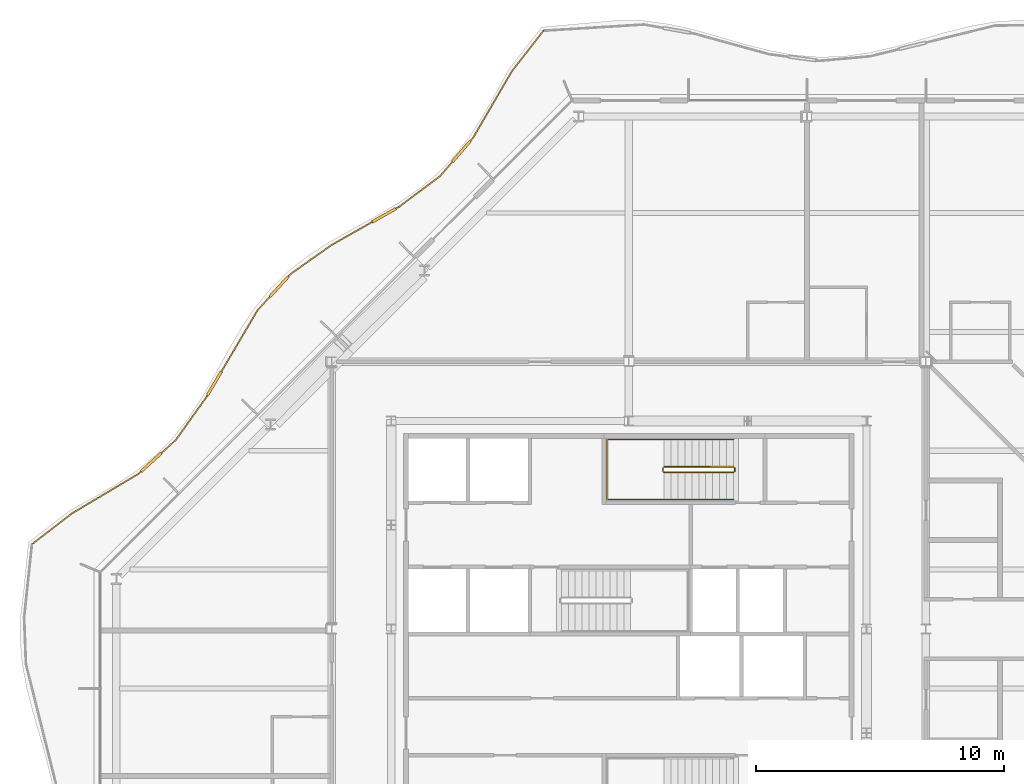
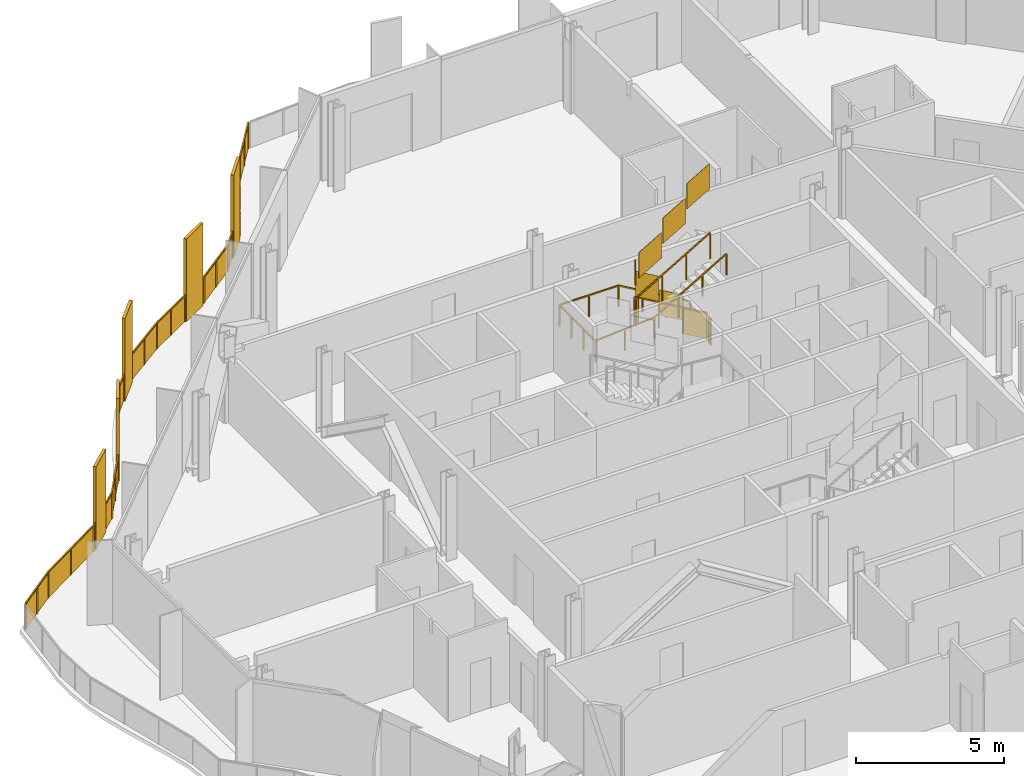
# One storey, part 16 of 17: 4 railings.
"""IFC4 building model written with IfcOpenShell, lengths in metres."""

from ifc_helpers import new_model, si_unit, direction, frame, origin, origin_2d, place, context, subcontext, project, spatial, polyline, rectangle, outline, extrude, material, type_object, element, save


model = new_model("IFC4")

# Units and contexts
model_context = context("Model", 3, precision=1e-05, world=origin(), true_north=direction((0.0, 1.0)))
body_context = subcontext(model_context, "Body", "Model", "MODEL_VIEW")
ifc_project = project(units=[si_unit("LENGTHUNIT", "METRE"), si_unit("AREAUNIT", "SQUARE_METRE"), si_unit("VOLUMEUNIT", "CUBIC_METRE"), si_unit("PLANEANGLEUNIT", "RADIAN"), si_unit("MASSUNIT", "GRAM", prefix="KILO")], contexts=[model_context])

# Site, building, storey
site_placement = place(None, origin())
site = spatial("IfcSite", under=ifc_project, at=site_placement, CompositionType="ELEMENT")
building_placement = place(site_placement, origin())
building = spatial("IfcBuilding", under=site, at=building_placement, Name="Cairn Pilgrim Tower", CompositionType="ELEMENT")
storey_placement = place(building_placement, frame((0.0, 0.0, 221.39990234375)))
storey = spatial("IfcBuildingStorey", under=building, at=storey_placement, Name="L56", CompositionType="ELEMENT", Elevation=221.39990234375)

# Railings
ifc_material_1 = material(Name="Bronze anodised aluminium rail, posts and fin screens with laminated glass infill", Category="aluminium")
railing_type_1 = type_object("IfcRailingType", Name="BALCONY GUARD WITH FIN SCREENS", PredefinedType="GUARDRAIL", material=ifc_material_1)
railing_1_placement = place(storey_placement, frame((3.7529296875, 26.5673828125, 0.0)))
element("IfcRailing", 1, at=railing_1_placement, inside=storey, type_object=railing_type_1, Name="Balcony guard BGF-5 with fin screens", PredefinedType="GUARDRAIL", context=body_context, shape_type="SweptSolid", body=[
    extrude(rectangle(XDim=0.050048828125, YDim=0.050048828125, at=origin_2d()), frame((0.0, 0.0, 1.0751953125), z_axis=(-0.615247590899, -0.788333940594, 0.0), x_axis=(0.788333940594, -0.615247590899, 0.0)), (0.0, 0.0, 1.0), 2.06787109375),
    extrude(rectangle(XDim=0.050048828125, YDim=0.050048828125, at=origin_2d()), frame((-1.272216796875, -1.630126953125, 1.0751953125), z_axis=(-0.503754385339, -0.863846930452, 0.0), x_axis=(0.863846930452, -0.503754385339, 0.0)), (0.0, 0.0, 1.0), 3.12353515625),
    extrude(rectangle(XDim=1.10009765625, YDim=0.110107421875, at=origin_2d()), frame((-3.319091796875, -4.877685546875, 0.0), z_axis=(0.0, 0.0, 1.0), x_axis=(-0.652871199142, -0.757468941496, 0.0)), (0.0, 0.0, 1.0), 3.39990234375),
    extrude(rectangle(XDim=0.050048828125, YDim=0.050048828125, at=origin_2d()), frame((-2.845703125, -4.328369140625, 1.0751953125), z_axis=(-0.652871199142, -0.757468941496, 0.0), x_axis=(0.757468941496, -0.652871199142, 0.0)), (0.0, 0.0, 1.0), 0.175048828125),
    extrude(rectangle(XDim=0.050048828125, YDim=0.050048828125, at=origin_2d()), frame((-3.67822265625, -5.294189453125, 1.0751953125), z_axis=(-0.652871199142, -0.757468941496, 0.0), x_axis=(0.757468941496, -0.652871199142, 0.0)), (0.0, 0.0, 1.0), 0.771728515625),
    extrude(rectangle(XDim=0.050048828125, YDim=0.050048828125, at=origin_2d()), frame((-4.18212890625, -5.87890625, 1.0751953125), z_axis=(-0.801009467995, -0.598651678509, 0.0), x_axis=(0.598651678509, -0.801009467995, 0.0)), (0.0, 0.0, 1.0), 2.058349609375),
    extrude(rectangle(XDim=1.10009765625, YDim=0.110107421875, at=origin_2d()), frame((-6.43994140625, -7.455810546875, 0.0), z_axis=(0.0, 0.0, 1.0), x_axis=(-0.870288371467, -0.492542536731, 0.0)), (0.0, 0.0, 1.0), 3.39990234375),
    extrude(rectangle(XDim=0.050048828125, YDim=0.050048828125, at=origin_2d()), frame((-5.830810546875, -7.111083984375, 1.0751953125), z_axis=(-0.870288371467, -0.492542536731, 0.0), x_axis=(0.492542536731, -0.870288371467, 0.0)), (0.0, 0.0, 1.0), 0.14990234375),
    extrude(rectangle(XDim=0.050048828125, YDim=0.050048828125, at=origin_2d()), frame((-6.918701171875, -7.726806640625, 1.0751953125), z_axis=(-0.870288371467, -0.492542536731, 0.0), x_axis=(0.492542536731, -0.870288371467, 0.0)), (0.0, 0.0, 1.0), 1.882568359375),
    extrude(rectangle(XDim=0.050048828125, YDim=0.050048828125, at=origin_2d()), frame((-8.55712890625, -8.654052734375, 1.0751953125), z_axis=(-0.816212373943, -0.577751988852, 0.0), x_axis=(0.577751988852, -0.816212373943, 0.0)), (0.0, 0.0, 1.0), 2.016845703125),
    extrude(rectangle(XDim=1.10009765625, YDim=0.110107421875, at=origin_2d()), frame((-10.676513671875, -10.335205078125, 0.0), z_axis=(0.0, 0.0, 1.0), x_axis=(-0.675825052725, -0.737062072087, 0.0)), (0.0, 0.0, 1.0), 3.39990234375),
    extrude(rectangle(XDim=0.050048828125, YDim=0.050048828125, at=origin_2d()), frame((-10.203369140625, -9.8193359375, 1.0751953125), z_axis=(-0.675825052725, -0.737062072087, 0.0), x_axis=(0.737062072087, -0.675825052725, 0.0)), (0.0, 0.0, 1.0), 0.150146484375),
    extrude(rectangle(XDim=0.050048828125, YDim=0.050048828125, at=origin_2d()), frame((-11.048095703125, -10.74072265625, 1.0751953125), z_axis=(-0.675825052725, -0.737062072087, 0.0), x_axis=(0.737062072087, -0.675825052725, 0.0)), (0.0, 0.0, 1.0), 0.7314453125),
    extrude(rectangle(XDim=1.10009765625, YDim=0.110107421875, at=origin_2d()), frame((-13.293701171875, -14.24609375, 0.0), z_axis=(0.0, 0.0, 1.0), x_axis=(-0.508401829525, -0.861119956647, 0.0)), (0.0, 0.0, 1.0), 3.39990234375),
    extrude(rectangle(XDim=0.050048828125, YDim=0.050048828125, at=origin_2d()), frame((-11.54248046875, -11.27978515625, 1.0751953125), z_axis=(-0.508401829525, -0.861119956647, 0.0), x_axis=(0.861119956647, -0.508401829525, 0.0)), (0.0, 0.0, 1.0), 2.894775390625),
    extrude(rectangle(XDim=0.050048828125, YDim=0.050048828125, at=origin_2d()), frame((-13.573486328125, -14.7197265625, 1.0751953125), z_axis=(-0.508401829525, -0.861119956647, 0.0), x_axis=(0.861119956647, -0.508401829525, 0.0)), (0.0, 0.0, 1.0), 0.14990234375),
    extrude(rectangle(XDim=0.050048828125, YDim=0.050048828125, at=origin_2d()), frame((-13.649658203125, -14.848876953125, 1.0751953125), z_axis=(-0.581058957982, -0.813861466927, 0.0), x_axis=(0.813861466927, -0.581058957982, 0.0)), (0.0, 0.0, 1.0), 2.061767578125),
    extrude(rectangle(XDim=1.10009765625, YDim=0.110107421875, at=origin_2d()), frame((-15.843505859375, -17.430908203125, 0.0), z_axis=(0.0, 0.0, 1.0), x_axis=(-0.740372121934, -0.672197233751, 0.0)), (0.0, 0.0, 1.0), 3.39990234375),
    extrude(rectangle(XDim=0.050048828125, YDim=0.050048828125, at=origin_2d()), frame((-14.84765625, -16.52685546875, 1.0751953125), z_axis=(-0.740372121934, -0.672197233751, 0.0), x_axis=(0.672197233751, -0.740372121934, 0.0)), (0.0, 0.0, 1.0), 0.794921875),
    extrude(rectangle(XDim=0.050048828125, YDim=0.050048828125, at=origin_2d()), frame((-16.25048828125, -17.800537109375, 1.0751953125), z_axis=(-0.740372121934, -0.672197233751, 0.0), x_axis=(0.672197233751, -0.740372121934, 0.0)), (0.0, 0.0, 1.0), 0.14990234375),
    extrude(rectangle(XDim=0.050048828125, YDim=0.050048828125, at=origin_2d()), frame((-16.361572265625, -17.9013671875, 1.0751953125), z_axis=(-0.859455025905, -0.511211363769, 0.0), x_axis=(0.511211363769, -0.859455025905, 0.0)), (0.0, 0.0, 1.0), 3.119140625),
    extrude(rectangle(XDim=0.050048828125, YDim=0.050048828125, at=origin_2d()), frame((-19.042236328125, -19.495849609375, 1.0751953125), z_axis=(-0.792386852643, -0.610018914262, 0.0), x_axis=(0.610018914262, -0.792386852643, 0.0)), (0.0, 0.0, 1.0), 1.99072265625),
    extrude(rectangle(XDim=0.050048828125, YDim=0.050048828125, at=origin_2d()), origin(), (0.0, 0.0, 1.0), 1.050048828125),
    extrude(rectangle(XDim=0.050048828125, YDim=0.050048828125, at=origin_2d()), frame((-0.63623046875, -0.815185546875, 0.0)), (0.0, 0.0, 1.0), 1.050048828125),
    extrude(rectangle(XDim=0.050048828125, YDim=0.050048828125, at=origin_2d()), frame((-1.272216796875, -1.630126953125, 0.0)), (0.0, 0.0, 1.0), 1.050048828125),
    extrude(rectangle(XDim=0.050048828125, YDim=0.050048828125, at=origin_2d()), frame((-2.05908203125, -2.979248046875, 0.0)), (0.0, 0.0, 1.0), 1.050048828125),
    extrude(rectangle(XDim=0.050048828125, YDim=0.050048828125, at=origin_2d()), frame((-2.845703125, -4.328369140625, 0.0)), (0.0, 0.0, 1.0), 1.050048828125),
    extrude(rectangle(XDim=0.050048828125, YDim=0.050048828125, at=origin_2d()), frame((-2.94384765625, -4.442138671875, 0.0)), (0.0, 0.0, 1.0), 1.050048828125),
    extrude(rectangle(XDim=0.050048828125, YDim=0.050048828125, at=origin_2d()), frame((-3.694580078125, -5.313232421875, 0.0)), (0.0, 0.0, 1.0), 1.050048828125),
    extrude(rectangle(XDim=0.050048828125, YDim=0.050048828125, at=origin_2d()), frame((-4.18212890625, -5.87890625, 0.0)), (0.0, 0.0, 1.0), 1.050048828125),
    extrude(rectangle(XDim=0.050048828125, YDim=0.050048828125, at=origin_2d()), frame((-5.00634765625, -6.4951171875, 0.0)), (0.0, 0.0, 1.0), 1.050048828125),
    extrude(rectangle(XDim=0.050048828125, YDim=0.050048828125, at=origin_2d()), frame((-5.830810546875, -7.111083984375, 0.0)), (0.0, 0.0, 1.0), 1.050048828125),
    extrude(rectangle(XDim=0.050048828125, YDim=0.050048828125, at=origin_2d()), frame((-5.939697265625, -7.172607421875, 0.0)), (0.0, 0.0, 1.0), 1.050048828125),
    extrude(rectangle(XDim=0.050048828125, YDim=0.050048828125, at=origin_2d()), frame((-6.9404296875, -7.739013671875, 0.0)), (0.0, 0.0, 1.0), 1.050048828125),
    extrude(rectangle(XDim=0.050048828125, YDim=0.050048828125, at=origin_2d()), frame((-7.748779296875, -8.196533203125, 0.0)), (0.0, 0.0, 1.0), 1.050048828125),
    extrude(rectangle(XDim=0.050048828125, YDim=0.050048828125, at=origin_2d()), frame((-8.55712890625, -8.654052734375, 0.0)), (0.0, 0.0, 1.0), 1.050048828125),
    extrude(rectangle(XDim=0.050048828125, YDim=0.050048828125, at=origin_2d()), frame((-9.38037109375, -9.23681640625, 0.0)), (0.0, 0.0, 1.0), 1.050048828125),
    extrude(rectangle(XDim=0.050048828125, YDim=0.050048828125, at=origin_2d()), frame((-10.203369140625, -9.8193359375, 0.0)), (0.0, 0.0, 1.0), 1.050048828125),
    extrude(rectangle(XDim=0.050048828125, YDim=0.050048828125, at=origin_2d()), frame((-10.287841796875, -9.911376953125, 0.0)), (0.0, 0.0, 1.0), 1.050048828125),
    extrude(rectangle(XDim=0.050048828125, YDim=0.050048828125, at=origin_2d()), frame((-11.065185546875, -10.759033203125, 0.0)), (0.0, 0.0, 1.0), 1.050048828125),
    extrude(rectangle(XDim=0.050048828125, YDim=0.050048828125, at=origin_2d()), frame((-11.54248046875, -11.27978515625, 0.0)), (0.0, 0.0, 1.0), 1.050048828125),
    extrude(rectangle(XDim=0.050048828125, YDim=0.050048828125, at=origin_2d()), frame((-12.27197265625, -12.515380859375, 0.0)), (0.0, 0.0, 1.0), 1.050048828125),
    extrude(rectangle(XDim=0.050048828125, YDim=0.050048828125, at=origin_2d()), frame((-13.00146484375, -13.7509765625, 0.0)), (0.0, 0.0, 1.0), 1.050048828125),
    extrude(rectangle(XDim=0.050048828125, YDim=0.050048828125, at=origin_2d()), frame((-13.586181640625, -14.7412109375, 0.0)), (0.0, 0.0, 1.0), 1.050048828125),
    extrude(rectangle(XDim=0.050048828125, YDim=0.050048828125, at=origin_2d()), frame((-13.649658203125, -14.848876953125, 0.0)), (0.0, 0.0, 1.0), 1.050048828125),
    extrude(rectangle(XDim=0.050048828125, YDim=0.050048828125, at=origin_2d()), frame((-14.24853515625, -15.68798828125, 0.0)), (0.0, 0.0, 1.0), 1.050048828125),
    extrude(rectangle(XDim=0.050048828125, YDim=0.050048828125, at=origin_2d()), frame((-14.84765625, -16.52685546875, 0.0)), (0.0, 0.0, 1.0), 1.050048828125),
    extrude(rectangle(XDim=0.050048828125, YDim=0.050048828125, at=origin_2d()), frame((-15.417724609375, -17.04443359375, 0.0)), (0.0, 0.0, 1.0), 1.050048828125),
    extrude(rectangle(XDim=0.050048828125, YDim=0.050048828125, at=origin_2d()), frame((-16.26904296875, -17.8173828125, 0.0)), (0.0, 0.0, 1.0), 1.050048828125),
    extrude(rectangle(XDim=0.050048828125, YDim=0.050048828125, at=origin_2d()), frame((-16.361572265625, -17.9013671875, 0.0)), (0.0, 0.0, 1.0), 1.050048828125),
    extrude(rectangle(XDim=0.050048828125, YDim=0.050048828125, at=origin_2d()), frame((-17.701904296875, -18.69873046875, 0.0)), (0.0, 0.0, 1.0), 1.050048828125),
    extrude(rectangle(XDim=0.050048828125, YDim=0.050048828125, at=origin_2d()), frame((-19.042236328125, -19.495849609375, 0.0)), (0.0, 0.0, 1.0), 1.050048828125),
    extrude(rectangle(XDim=0.050048828125, YDim=0.050048828125, at=origin_2d()), frame((-19.8310546875, -20.10302734375, 0.0)), (0.0, 0.0, 1.0), 1.050048828125),
    extrude(rectangle(XDim=0.050048828125, YDim=0.050048828125, at=origin_2d()), frame((-20.61962890625, -20.710205078125, 0.0)), (0.0, 0.0, 1.0), 1.050048828125),
    extrude(outline(polyline([(0.02490234375, 0.0), (1.0087890625, 0.0), (1.0087890625, 1.050048828125), (0.02490234375, 1.050048828125), (0.02490234375, 0.0)])), frame((0.004638671875, -0.003662109375, 0.0), z_axis=(-0.788333940594, 0.615247590899, 0.0), x_axis=(-0.615247590899, -0.788333940594, 0.0)), (0.0, 0.0, 1.0), 0.011962890625),
    extrude(outline(polyline([(0.02490234375, 0.0), (1.0087890625, 0.0), (1.0087890625, 1.050048828125), (0.02490234375, 1.050048828125), (0.02490234375, 0.0)])), frame((-0.63134765625, -0.81884765625, 0.0), z_axis=(-0.788333940594, 0.615247590899, 0.0), x_axis=(-0.615247590899, -0.788333940594, 0.0)), (0.0, 0.0, 1.0), 0.011962890625),
    extrude(outline(polyline([(0.02490234375, 0.0), (1.53662109375, 0.0), (1.53662109375, 1.050048828125), (0.02490234375, 1.050048828125), (0.02490234375, 0.0)])), frame((-1.26708984375, -1.633056640625, 0.0), z_axis=(-0.863846930452, 0.503754385339, 0.0), x_axis=(-0.503754385339, -0.863846930452, 0.0)), (0.0, 0.0, 1.0), 0.011962890625),
    extrude(outline(polyline([(0.02490234375, 0.0), (1.53662109375, 0.0), (1.53662109375, 1.050048828125), (0.02490234375, 1.050048828125), (0.02490234375, 0.0)])), frame((-2.0537109375, -2.982177734375, 0.0), z_axis=(-0.863846930452, 0.503754385339, 0.0), x_axis=(-0.503754385339, -0.863846930452, 0.0)), (0.0, 0.0, 1.0), 0.011962890625),
    extrude(outline(polyline([(0.02490234375, 0.0), (0.125, 0.0), (0.125, 1.050048828125), (0.02490234375, 1.050048828125), (0.02490234375, 0.0)])), frame((-2.841064453125, -4.332275390625, 0.0), z_axis=(-0.757468941496, 0.652871199142, 0.0), x_axis=(-0.652871199142, -0.757468941496, 0.0)), (0.0, 0.0, 1.0), 0.011962890625),
    extrude(outline(polyline([(0.02490234375, 0.0), (0.7216796875, 0.0), (0.7216796875, 1.050048828125), (0.02490234375, 1.050048828125), (0.02490234375, 0.0)])), frame((-3.68994140625, -5.317138671875, 0.0), z_axis=(-0.757468941496, 0.652871199142, 0.0), x_axis=(-0.652871199142, -0.757468941496, 0.0)), (0.0, 0.0, 1.0), 0.011962890625),
    extrude(outline(polyline([(0.02490234375, 0.0), (1.004150390625, 0.0), (1.004150390625, 1.050048828125), (0.02490234375, 1.050048828125), (0.02490234375, 0.0)])), frame((-4.178466796875, -5.8837890625, 0.0), z_axis=(-0.598651678509, 0.801009467995, 0.0), x_axis=(-0.801009467995, -0.598651678509, 0.0)), (0.0, 0.0, 1.0), 0.011962890625),
    extrude(outline(polyline([(0.02490234375, 0.0), (1.004150390625, 0.0), (1.004150390625, 1.050048828125), (0.02490234375, 1.050048828125), (0.02490234375, 0.0)])), frame((-5.0029296875, -6.499755859375, 0.0), z_axis=(-0.598651678509, 0.801009467995, 0.0), x_axis=(-0.801009467995, -0.598651678509, 0.0)), (0.0, 0.0, 1.0), 0.011962890625),
    extrude(outline(polyline([(0.02490234375, 0.0), (0.099853515625, 0.0), (0.099853515625, 1.050048828125), (0.02490234375, 1.050048828125), (0.02490234375, 0.0)])), frame((-5.827880859375, -7.1162109375, 0.0), z_axis=(-0.492542536731, 0.870288371467, 0.0), x_axis=(-0.870288371467, -0.492542536731, 0.0)), (0.0, 0.0, 1.0), 0.011962890625),
    extrude(outline(polyline([(0.02490234375, 0.0), (0.90380859375, 0.0), (0.90380859375, 1.050048828125), (0.02490234375, 1.050048828125), (0.02490234375, 0.0)])), frame((-6.9375, -7.744384765625, 0.0), z_axis=(-0.492542536731, 0.870288371467, 0.0), x_axis=(-0.870288371467, -0.492542536731, 0.0)), (0.0, 0.0, 1.0), 0.011962890625),
    extrude(outline(polyline([(0.02490234375, 0.0), (0.90380859375, 0.0), (0.90380859375, 1.050048828125), (0.02490234375, 1.050048828125), (0.02490234375, 0.0)])), frame((-7.745849609375, -8.20166015625, 0.0), z_axis=(-0.492542536731, 0.870288371467, 0.0), x_axis=(-0.870288371467, -0.492542536731, 0.0)), (0.0, 0.0, 1.0), 0.011962890625),
    extrude(outline(polyline([(0.02490234375, 0.0), (0.9833984375, 0.0), (0.9833984375, 1.050048828125), (0.02490234375, 1.050048828125), (0.02490234375, 0.0)])), frame((-8.5537109375, -8.658935546875, 0.0), z_axis=(-0.577751988852, 0.816212373943, 0.0), x_axis=(-0.816212373943, -0.577751988852, 0.0)), (0.0, 0.0, 1.0), 0.011962890625),
    extrude(outline(polyline([(0.02490234375, 0.0), (0.9833984375, 0.0), (0.9833984375, 1.050048828125), (0.02490234375, 1.050048828125), (0.02490234375, 0.0)])), frame((-9.376708984375, -9.241455078125, 0.0), z_axis=(-0.577751988852, 0.816212373943, 0.0), x_axis=(-0.816212373943, -0.577751988852, 0.0)), (0.0, 0.0, 1.0), 0.011962890625),
    extrude(outline(polyline([(0.02490234375, 0.0), (0.10009765625, 0.0), (0.10009765625, 1.050048828125), (0.02490234375, 1.050048828125), (0.02490234375, 0.0)])), frame((-10.198974609375, -9.823486328125, 0.0), z_axis=(-0.737062072087, 0.675825052725, 0.0), x_axis=(-0.675825052725, -0.737062072087, 0.0)), (0.0, 0.0, 1.0), 0.011962890625),
    extrude(outline(polyline([(0.02490234375, 0.0), (0.681396484375, 0.0), (0.681396484375, 1.050048828125), (0.02490234375, 1.050048828125), (0.02490234375, 0.0)])), frame((-11.060791015625, -10.76318359375, 0.0), z_axis=(-0.737062072087, 0.675825052725, 0.0), x_axis=(-0.675825052725, -0.737062072087, 0.0)), (0.0, 0.0, 1.0), 0.011962890625),
    extrude(outline(polyline([(0.02490234375, 0.0), (1.409912109375, 0.0), (1.409912109375, 1.050048828125), (0.02490234375, 1.050048828125), (0.02490234375, 0.0)])), frame((-11.537353515625, -11.28271484375, 0.0), z_axis=(-0.861119956647, 0.508401829525, 0.0), x_axis=(-0.508401829525, -0.861119956647, 0.0)), (0.0, 0.0, 1.0), 0.011962890625),
    extrude(outline(polyline([(0.02490234375, 0.0), (1.409912109375, 0.0), (1.409912109375, 1.050048828125), (0.02490234375, 1.050048828125), (0.02490234375, 0.0)])), frame((-12.266845703125, -12.518310546875, 0.0), z_axis=(-0.861119956647, 0.508401829525, 0.0), x_axis=(-0.508401829525, -0.861119956647, 0.0)), (0.0, 0.0, 1.0), 0.011962890625),
    extrude(outline(polyline([(0.02490234375, 0.0), (0.099853515625, 0.0), (0.099853515625, 1.050048828125), (0.02490234375, 1.050048828125), (0.02490234375, 0.0)])), frame((-13.5810546875, -14.744384765625, 0.0), z_axis=(-0.861119956647, 0.508401829525, 0.0), x_axis=(-0.508401829525, -0.861119956647, 0.0)), (0.0, 0.0, 1.0), 0.011962890625),
    extrude(outline(polyline([(0.02490234375, 0.0), (1.005859375, 0.0), (1.005859375, 1.050048828125), (0.02490234375, 1.050048828125), (0.02490234375, 0.0)])), frame((-13.644775390625, -14.852294921875, 0.0), z_axis=(-0.813861466927, 0.581058957982, 0.0), x_axis=(-0.581058957982, -0.813861466927, 0.0)), (0.0, 0.0, 1.0), 0.011962890625),
    extrude(outline(polyline([(0.02490234375, 0.0), (1.005859375, 0.0), (1.005859375, 1.050048828125), (0.02490234375, 1.050048828125), (0.02490234375, 0.0)])), frame((-14.243896484375, -15.69140625, 0.0), z_axis=(-0.813861466927, 0.581058957982, 0.0), x_axis=(-0.581058957982, -0.813861466927, 0.0)), (0.0, 0.0, 1.0), 0.011962890625),
    extrude(outline(polyline([(0.02490234375, 0.0), (0.744873046875, 0.0), (0.744873046875, 1.050048828125), (0.02490234375, 1.050048828125), (0.02490234375, 0.0)])), frame((-14.84375, -16.53125, 0.0), z_axis=(-0.672197233751, 0.740372121934, 0.0), x_axis=(-0.740372121934, -0.672197233751, 0.0)), (0.0, 0.0, 1.0), 0.011962890625),
    extrude(outline(polyline([(0.02490234375, 0.0), (0.099853515625, 0.0), (0.099853515625, 1.050048828125), (0.02490234375, 1.050048828125), (0.02490234375, 0.0)])), frame((-16.26513671875, -17.82177734375, 0.0), z_axis=(-0.672197233751, 0.740372121934, 0.0), x_axis=(-0.740372121934, -0.672197233751, 0.0)), (0.0, 0.0, 1.0), 0.011962890625),
    extrude(outline(polyline([(0.02490234375, 0.0), (1.534423828125, 0.0), (1.534423828125, 1.050048828125), (0.02490234375, 1.050048828125), (0.02490234375, 0.0)])), frame((-16.3583984375, -17.906494140625, 0.0), z_axis=(-0.511211363769, 0.859455025905, 0.0), x_axis=(-0.859455025905, -0.511211363769, 0.0)), (0.0, 0.0, 1.0), 0.011962890625),
    extrude(outline(polyline([(0.02490234375, 0.0), (1.534423828125, 0.0), (1.534423828125, 1.050048828125), (0.02490234375, 1.050048828125), (0.02490234375, 0.0)])), frame((-17.69873046875, -18.703857421875, 0.0), z_axis=(-0.511211363769, 0.859455025905, 0.0), x_axis=(-0.859455025905, -0.511211363769, 0.0)), (0.0, 0.0, 1.0), 0.011962890625),
    extrude(outline(polyline([(0.02490234375, 0.0), (0.97021484375, 0.0), (0.97021484375, 1.050048828125), (0.02490234375, 1.050048828125), (0.02490234375, 0.0)])), frame((-19.03857421875, -19.50048828125, 0.0), z_axis=(-0.610018914262, 0.792386852643, 0.0), x_axis=(-0.792386852643, -0.610018914262, 0.0)), (0.0, 0.0, 1.0), 0.011962890625),
    extrude(outline(polyline([(0.02490234375, 0.0), (0.97021484375, 0.0), (0.97021484375, 1.050048828125), (0.02490234375, 1.050048828125), (0.02490234375, 0.0)])), frame((-19.827392578125, -20.107666015625, 0.0), z_axis=(-0.610018914262, 0.792386852643, 0.0), x_axis=(-0.792386852643, -0.610018914262, 0.0)), (0.0, 0.0, 1.0), 0.011962890625),
])
ifc_material_2 = material(Name="Painted steel", Category="steel")
railing_type_2 = type_object("IfcRailingType", Name="STAIR GUARD 1100", PredefinedType="GUARDRAIL", material=ifc_material_2)
railing_2_placement = place(storey_placement, frame((11.425048828125, 8.949951171875, 0.163818359375)))
element("IfcRailing", 2, at=railing_2_placement, inside=storey, type_object=railing_type_2, Name="L56 ST-C stair guard 1", PredefinedType="GUARDRAIL", context=body_context, shape_type="SweptSolid", body=[
    extrude(rectangle(XDim=0.048095703125, YDim=0.048095703125, at=origin_2d()), frame((0.0, 0.0, 1.076171875), z_axis=(-0.863393664356, 0.0, 0.504530851732), x_axis=(0.0, -1.0, 0.0)), (0.0, 0.0, 1.0), 3.2431640625),
    extrude(rectangle(XDim=0.048095703125, YDim=0.048095703125, at=origin_2d()), frame((-2.800048828125, 0.0, 2.71240234375), z_axis=(-0.707106781187, -0.707106781187, 0.0), x_axis=(0.707106781187, -0.707106781187, 0.0)), (0.0, 0.0, 1.0), 0.07080078125),
    extrude(rectangle(XDim=0.048095703125, YDim=0.048095703125, at=origin_2d()), frame((-2.85009765625, -0.050048828125, 2.71240234375), z_axis=(0.0, -1.0, 0.0), x_axis=(1.0, 0.0, 0.0)), (0.0, 0.0, 1.0), 0.125),
    extrude(rectangle(XDim=0.048095703125, YDim=0.048095703125, at=origin_2d()), frame((-2.85009765625, -0.175048828125, 2.71240234375), z_axis=(0.280916556609, -0.279546231943, 0.91811752648), x_axis=(0.705375805398, 0.708833529934, 0.0)), (0.0, 0.0, 1.0), 0.17822265625),
    extrude(rectangle(XDim=0.048095703125, YDim=0.048095703125, at=origin_2d()), frame((-2.800048828125, -0.224853515625, 2.8759765625), z_axis=(0.863360870873, 0.0, 0.504586966384), x_axis=(0.0, 1.0, 0.0)), (0.0, 0.0, 1.0), 3.2431640625),
    extrude(rectangle(XDim=0.0419921875, YDim=0.0419921875, at=origin_2d()), origin(), (0.0, 0.0, 1.0), 1.052001953125),
    extrude(rectangle(XDim=0.0419921875, YDim=0.0419921875, at=origin_2d()), frame((-0.933349609375, 0.0, 0.54541015625)), (0.0, 0.0, 1.0), 1.052001953125),
    extrude(rectangle(XDim=0.0419921875, YDim=0.0419921875, at=origin_2d()), frame((-1.86669921875, 0.0, 1.0908203125)), (0.0, 0.0, 1.0), 1.052001953125),
    extrude(rectangle(XDim=0.0419921875, YDim=0.0419921875, at=origin_2d()), frame((-2.800048828125, 0.0, 1.63623046875)), (0.0, 0.0, 1.0), 1.052001953125),
    extrude(rectangle(XDim=0.0419921875, YDim=0.0419921875, at=origin_2d()), frame((-2.85009765625, -0.050048828125, 1.63623046875)), (0.0, 0.0, 1.0), 1.052001953125),
    extrude(rectangle(XDim=0.0419921875, YDim=0.0419921875, at=origin_2d()), frame((-2.85009765625, -0.175048828125, 1.63623046875)), (0.0, 0.0, 1.0), 1.052001953125),
    extrude(rectangle(XDim=0.0419921875, YDim=0.0419921875, at=origin_2d()), frame((-2.800048828125, -0.224853515625, 1.7998046875)), (0.0, 0.0, 1.0), 1.052001953125),
    extrude(rectangle(XDim=0.0419921875, YDim=0.0419921875, at=origin_2d()), frame((-1.86669921875, -0.224853515625, 2.34521484375)), (0.0, 0.0, 1.0), 1.052001953125),
    extrude(rectangle(XDim=0.0419921875, YDim=0.0419921875, at=origin_2d()), frame((-0.933349609375, -0.224853515625, 2.890869140625)), (0.0, 0.0, 1.0), 1.052001953125),
    extrude(rectangle(XDim=0.0419921875, YDim=0.0419921875, at=origin_2d()), frame((0.0, -0.224853515625, 3.436279296875)), (0.0, 0.0, 1.0), 1.052001953125),
    extrude(outline(polyline([(0.02099609375, 0.01220703125), (0.912353515625, 0.533203125), (0.912353515625, 1.585205078125), (0.02099609375, 1.064208984375), (0.02099609375, 0.01220703125)])), frame((0.0, -0.005859375, 0.0), z_axis=(0.0, 1.0, 0.0), x_axis=(-1.0, 0.0, 0.0)), (0.0, 0.0, 1.0), 0.011962890625),
    extrude(outline(polyline([(0.02099609375, 0.5576171875), (0.912353515625, 1.07861328125), (0.912353515625, 2.130615234375), (0.02099609375, 1.609619140625), (0.02099609375, 0.5576171875)])), frame((-0.933349609375, -0.005859375, 0.54541015625), z_axis=(0.0, 1.0, 0.0), x_axis=(-1.0, 0.0, 0.0)), (0.0, 0.0, 1.0), 0.011962890625),
    extrude(outline(polyline([(0.02099609375, 1.10302734375), (0.912353515625, 1.6240234375), (0.912353515625, 2.676025390625), (0.02099609375, 2.155029296875), (0.02099609375, 1.10302734375)])), frame((-1.86669921875, -0.005859375, 1.0908203125), z_axis=(0.0, 1.0, 0.0), x_axis=(-1.0, 0.0, 0.0)), (0.0, 0.0, 1.0), 0.011962890625),
    extrude(outline(polyline([(0.02099609375, 1.63623046875), (0.10400390625, 1.63623046875), (0.10400390625, 2.688232421875), (0.02099609375, 2.688232421875), (0.02099609375, 1.63623046875)])), frame((-2.84423828125, -0.050048828125, 1.63623046875), z_axis=(-1.0, 0.0, 0.0), x_axis=(0.0, -1.0, 0.0)), (0.0, 0.0, 1.0), 0.011962890625),
    extrude(outline(polyline([(0.02099609375, 1.81201171875), (0.912353515625, 2.3330078125), (0.912353515625, 3.385009765625), (0.02099609375, 2.864013671875), (0.02099609375, 1.81201171875)])), frame((-2.800048828125, -0.21875, 1.7998046875), z_axis=(0.0, -1.0, 0.0), x_axis=(1.0, 0.0, 0.0)), (0.0, 0.0, 1.0), 0.011962890625),
    extrude(outline(polyline([(0.02099609375, 2.357666015625), (0.912353515625, 2.87841796875), (0.912353515625, 3.930419921875), (0.02099609375, 3.40966796875), (0.02099609375, 2.357666015625)])), frame((-1.86669921875, -0.21875, 2.34521484375), z_axis=(0.0, -1.0, 0.0), x_axis=(1.0, 0.0, 0.0)), (0.0, 0.0, 1.0), 0.011962890625),
    extrude(outline(polyline([(0.02099609375, 2.903076171875), (0.912353515625, 3.424072265625), (0.912353515625, 4.47607421875), (0.02099609375, 3.955078125), (0.02099609375, 2.903076171875)])), frame((-0.933349609375, -0.21875, 2.890869140625), z_axis=(0.0, -1.0, 0.0), x_axis=(1.0, 0.0, 0.0)), (0.0, 0.0, 1.0), 0.011962890625),
])
railing_3_placement = place(storey_placement, frame((11.47509765625, 8.89990234375, 0.0)))
element("IfcRailing", 3, at=railing_3_placement, inside=storey, type_object=railing_type_2, Name="L56 ST-C stair guard 2", PredefinedType="GUARDRAIL", context=body_context, shape_type="SweptSolid", body=[
    extrude(rectangle(XDim=0.048095703125, YDim=0.048095703125, at=origin_2d()), frame((0.0, 0.0, 1.076171875), z_axis=(0.0, -1.0, 0.0), x_axis=(1.0, 0.0, 0.0)), (0.0, 0.0, 1.0), 0.125),
    extrude(rectangle(XDim=0.0419921875, YDim=0.0419921875, at=origin_2d()), origin(), (0.0, 0.0, 1.0), 1.052001953125),
    extrude(rectangle(XDim=0.0419921875, YDim=0.0419921875, at=origin_2d()), frame((0.0, -0.125, 0.0)), (0.0, 0.0, 1.0), 1.052001953125),
    extrude(outline(polyline([(0.02099609375, 0.0), (0.10400390625, 0.0), (0.10400390625, 1.052001953125), (0.02099609375, 1.052001953125), (0.02099609375, 0.0)])), frame((0.005859375, 0.0, 0.0), z_axis=(-1.0, 0.0, 0.0), x_axis=(0.0, -1.0, 0.0)), (0.0, 0.0, 1.0), 0.011962890625),
])
railing_type_3 = type_object("IfcRailingType", Name="STAIR HANDRAIL 900", PredefinedType="HANDRAIL", material=ifc_material_2)
railing_4_placement = place(storey_placement, frame((11.425048828125, 10.050048828125, 0.163818359375)))
element("IfcRailing", 4, at=railing_4_placement, inside=storey, type_object=railing_type_3, Name="L56 ST-C stair handrail 1", PredefinedType="HANDRAIL", context=body_context, shape_type="SweptSolid", body=[
    extrude(rectangle(XDim=0.048095703125, YDim=0.048095703125, at=origin_2d()), frame((0.0, 0.0, 0.8759765625), z_axis=(-0.863393664356, 0.0, 0.504530851732), x_axis=(0.0, -1.0, 0.0)), (0.0, 0.0, 1.0), 3.2431640625),
    extrude(rectangle(XDim=0.048095703125, YDim=0.048095703125, at=origin_2d()), frame((-2.800048828125, 0.0, 2.51220703125), z_axis=(-1.0, 0.0, 0.0), x_axis=(0.0, -1.0, 0.0)), (0.0, 0.0, 1.0), 2.300048828125),
    extrude(rectangle(XDim=0.048095703125, YDim=0.048095703125, at=origin_2d()), frame((-5.10009765625, 0.0, 2.51220703125), z_axis=(0.0, -1.0, 0.0), x_axis=(1.0, 0.0, 0.0)), (0.0, 0.0, 1.0), 2.425048828125),
    extrude(rectangle(XDim=0.048095703125, YDim=0.048095703125, at=origin_2d()), frame((-5.10009765625, -2.425048828125, 2.51220703125), z_axis=(0.997480687736, 0.0, 0.070938548008), x_axis=(0.0, 1.0, 0.0)), (0.0, 0.0, 1.0), 2.305908203125),
    extrude(rectangle(XDim=0.048095703125, YDim=0.048095703125, at=origin_2d()), frame((-2.800048828125, -2.425048828125, 2.67578125), z_axis=(0.863360870873, 0.0, 0.504586966384), x_axis=(0.0, 1.0, 0.0)), (0.0, 0.0, 1.0), 3.2431640625),
    extrude(rectangle(XDim=0.0419921875, YDim=0.0419921875, at=origin_2d()), origin(), (0.0, 0.0, 1.0), 0.851806640625),
    extrude(rectangle(XDim=0.0419921875, YDim=0.0419921875, at=origin_2d()), frame((-0.933349609375, 0.0, 0.54541015625)), (0.0, 0.0, 1.0), 0.851806640625),
    extrude(rectangle(XDim=0.0419921875, YDim=0.0419921875, at=origin_2d()), frame((-1.86669921875, 0.0, 1.0908203125)), (0.0, 0.0, 1.0), 0.851806640625),
    extrude(rectangle(XDim=0.0419921875, YDim=0.0419921875, at=origin_2d()), frame((-2.800048828125, 0.0, 1.63623046875)), (0.0, 0.0, 1.0), 0.851806640625),
    extrude(rectangle(XDim=0.0419921875, YDim=0.0419921875, at=origin_2d()), frame((-3.9501953125, 0.0, 1.63623046875)), (0.0, 0.0, 1.0), 0.851806640625),
    extrude(rectangle(XDim=0.0419921875, YDim=0.0419921875, at=origin_2d()), frame((-5.10009765625, 0.0, 1.63623046875)), (0.0, 0.0, 1.0), 0.851806640625),
    extrude(rectangle(XDim=0.0419921875, YDim=0.0419921875, at=origin_2d()), frame((-5.10009765625, -0.808349609375, 1.63623046875)), (0.0, 0.0, 1.0), 0.851806640625),
    extrude(rectangle(XDim=0.0419921875, YDim=0.0419921875, at=origin_2d()), frame((-5.10009765625, -1.61669921875, 1.63623046875)), (0.0, 0.0, 1.0), 0.851806640625),
    extrude(rectangle(XDim=0.0419921875, YDim=0.0419921875, at=origin_2d()), frame((-5.10009765625, -2.425048828125, 1.63623046875)), (0.0, 0.0, 1.0), 0.851806640625),
    extrude(rectangle(XDim=0.0419921875, YDim=0.0419921875, at=origin_2d()), frame((-3.9501953125, -2.425048828125, 1.718017578125)), (0.0, 0.0, 1.0), 0.851806640625),
    extrude(rectangle(XDim=0.0419921875, YDim=0.0419921875, at=origin_2d()), frame((-2.800048828125, -2.425048828125, 1.7998046875)), (0.0, 0.0, 1.0), 0.851806640625),
    extrude(rectangle(XDim=0.0419921875, YDim=0.0419921875, at=origin_2d()), frame((-1.86669921875, -2.425048828125, 2.34521484375)), (0.0, 0.0, 1.0), 0.851806640625),
    extrude(rectangle(XDim=0.0419921875, YDim=0.0419921875, at=origin_2d()), frame((-0.933349609375, -2.425048828125, 2.890869140625)), (0.0, 0.0, 1.0), 0.851806640625),
    extrude(rectangle(XDim=0.0419921875, YDim=0.0419921875, at=origin_2d()), frame((0.0, -2.425048828125, 3.436279296875)), (0.0, 0.0, 1.0), 0.851806640625),
])

save(model, "model.ifc")
